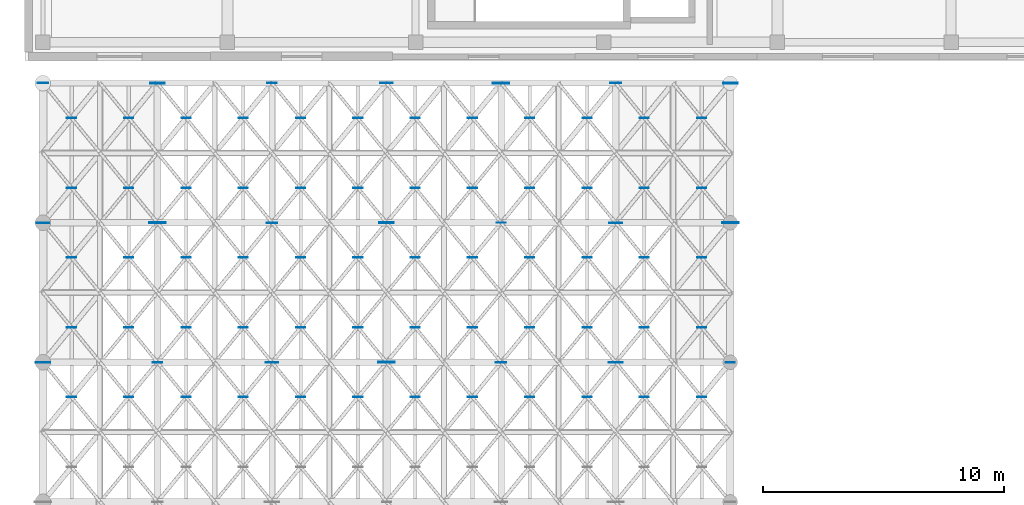
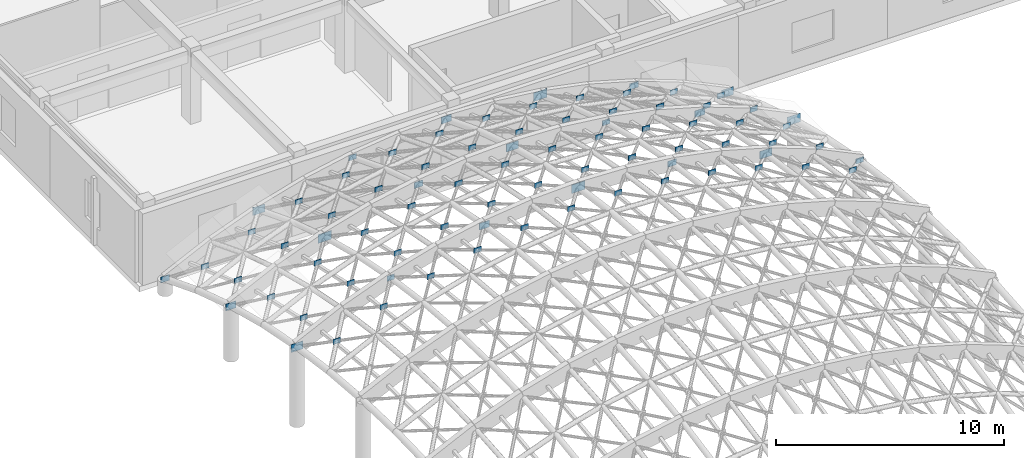
# One storey, part 126 of 146: 81 plates.
"""IFC4 building model written with IfcOpenShell, lengths in metres."""

from ifc_helpers import new_model, si_unit, direction, frame, origin, origin_2d, place, context, subcontext, project, spatial, rectangle, extrude, material, layer, layer_set, type_object, element, save


model = new_model("IFC4")

# Units and contexts
model_context = context("Model", 3, precision=1e-05, world=origin(), true_north=direction((0.0, 1.0)))
body_context = subcontext(model_context, "Body", "Model", "MODEL_VIEW")
ifc_project = project(units=[si_unit("LENGTHUNIT", "METRE"), si_unit("AREAUNIT", "SQUARE_METRE"), si_unit("VOLUMEUNIT", "CUBIC_METRE"), si_unit("PLANEANGLEUNIT", "RADIAN"), si_unit("MASSUNIT", "GRAM", prefix="KILO")], contexts=[model_context])

# Site, building, storey
site_placement = place(None, origin())
site = spatial("IfcSite", under=ifc_project, at=site_placement, CompositionType="ELEMENT")
building_placement = place(site_placement, origin())
building = spatial("IfcBuilding", under=site, at=building_placement, Name="Valcora Specialist Clinic", CompositionType="ELEMENT")
storey_placement = place(building_placement, frame((0.0, 0.0, 9.52001953125)))
storey = spatial("IfcBuildingStorey", under=building, at=storey_placement, Name="L02", CompositionType="ELEMENT", Elevation=9.52001953125)

# Plates
ifc_material = material(Name="Steel ASTM A572 Grade 50", Category="steel")
ifc_layer_1 = layer(ifc_material, 0.02587890625)
ifc_layer_set_1 = layer_set([ifc_layer_1], Name="Steel ASTM A572 Grade 50")
plate_type_1 = type_object("IfcPlateType", Name="TY-PL-GS1", PredefinedType="USERDEFINED", material=ifc_layer_set_1)
for number, where, z_axis, x_axis, name in (
    (1, (5.5, 73.464111328125, 4.591064453125), (0.0, 0.0, 1.0), (1.0, 0.0, 0.0), "Gridshell node gusset plate PL-GSN-015"),
    (2, (15.0, 67.678955078125, 7.440673828125), (0.0, 0.0, 1.0), (1.0, 0.0, 0.0), "Gridshell node gusset plate PL-GSN-030"),
    (3, (19.75, 79.25, 3.690673828125), (0.0, 0.0, 1.0), (1.0, 0.0, 0.0), "Gridshell node gusset plate PL-GSN-040"),
    (4, (29.25, 73.464111328125, 2.56005859375), (0.0, 0.0, 1.0), (1.0, 0.0, 0.0), "Gridshell node gusset plate PL-GSN-055"),
):
    element("IfcPlate", number, at=place(storey_placement, frame(where, z_axis=z_axis, x_axis=x_axis)), inside=storey, type_object=plate_type_1, Name=name, ObjectType="GUSSET_PLATE", PredefinedType="USERDEFINED", context=body_context, shape_type="SweptSolid", body=[
        extrude(rectangle(XDim=0.679931640625, YDim=0.02587890625, at=origin_2d()), origin(), (0.0, 0.0, 1.0), 0.4599609375),
    ])
ifc_layer_2 = layer(ifc_material, 0.02392578125)
ifc_layer_set_2 = layer_set([ifc_layer_2], Name="Steel ASTM A572 Grade 50")
plate_type_2 = type_object("IfcPlateType", Name="TY-PL-GS2", PredefinedType="USERDEFINED", material=ifc_layer_set_2)
for number, where, z_axis, x_axis, name in (
    (5, (0.75, 67.678955078125, 3.90283203125), (0.0, 0.0, 1.0), (1.0, 0.0, 0.0), "Gridshell node gusset plate PL-GSN-006"),
    (6, (5.5, 79.25, 2.55810546875), (0.0, 0.0, 1.0), (1.0, 0.0, 0.0), "Gridshell node gusset plate PL-GSN-016"),
    (7, (15.0, 73.464111328125, 6.137939453125), (0.0, 0.0, 1.0), (1.0, 0.0, 0.0), "Gridshell node gusset plate PL-GSN-031"),
    (8, (24.5, 67.678955078125, 5.933837890625), (0.0, 0.0, 1.0), (1.0, 0.0, 0.0), "Gridshell node gusset plate PL-GSN-046"),
    (9, (29.25, 79.25, 0.527099609375), (0.0, 0.0, 1.0), (1.0, 0.0, 0.0), "Gridshell node gusset plate PL-GSN-056"),
):
    element("IfcPlate", number, at=place(storey_placement, frame(where, z_axis=z_axis, x_axis=x_axis)), inside=storey, type_object=plate_type_2, Name=name, ObjectType="GUSSET_PLATE", PredefinedType="USERDEFINED", context=body_context, shape_type="SweptSolid", body=[
        extrude(rectangle(XDim=0.60009765625, YDim=0.02392578125, at=origin_2d()), origin(), (0.0, 0.0, 1.0), 0.419921875),
    ])
ifc_layer_3 = layer(ifc_material, 0.02197265625)
ifc_layer_set_3 = layer_set([ifc_layer_3], Name="Steel ASTM A572 Grade 50")
plate_type_3 = type_object("IfcPlateType", Name="TY-PL-GS3", PredefinedType="USERDEFINED", material=ifc_layer_set_3)
for number, where, z_axis, x_axis, name in (
    (10, (0.75, 73.464111328125, 2.60986328125), (0.0, 0.0, 1.0), (1.0, 0.0, 0.0), "Gridshell node gusset plate PL-GSN-007"),
    (11, (10.25, 67.678955078125, 7.1162109375), (0.0, 0.0, 1.0), (1.0, 0.0, 0.0), "Gridshell node gusset plate PL-GSN-022"),
    (12, (15.0, 79.25, 4.115234375), (0.0, 0.0, 1.0), (1.0, 0.0, 0.0), "Gridshell node gusset plate PL-GSN-032"),
    (13, (24.5, 73.464111328125, 4.64111328125), (0.0, 0.0, 1.0), (1.0, 0.0, 0.0), "Gridshell node gusset plate PL-GSN-047"),
):
    element("IfcPlate", number, at=place(storey_placement, frame(where, z_axis=z_axis, x_axis=x_axis)), inside=storey, type_object=plate_type_3, Name=name, ObjectType="GUSSET_PLATE", PredefinedType="USERDEFINED", context=body_context, shape_type="SweptSolid", body=[
        extrude(rectangle(XDim=0.52001953125, YDim=0.02197265625, at=origin_2d()), origin(), (0.0, 0.0, 1.0), 0.360107421875),
    ])
ifc_layer_4 = layer(ifc_material, 0.02001953125)
ifc_layer_set_4 = layer_set([ifc_layer_4], Name="Steel ASTM A572 Grade 50")
plate_type_4 = type_object("IfcPlateType", Name="TY-PL-GS4", PredefinedType="USERDEFINED", material=ifc_layer_set_4)
for number, where, z_axis, x_axis, name in (
    (14, (0.75, 79.25, 0.5771484375), (0.0, 0.0, 1.0), (1.0, 0.0, 0.0), "Gridshell node gusset plate PL-GSN-008"),
    (15, (10.25, 73.464111328125, 5.8134765625), (0.0, 0.0, 1.0), (1.0, 0.0, 0.0), "Gridshell node gusset plate PL-GSN-023"),
    (16, (19.75, 67.678955078125, 7.13623046875), (0.0, 0.0, 1.0), (1.0, 0.0, 0.0), "Gridshell node gusset plate PL-GSN-038"),
    (17, (24.5, 79.25, 2.60791015625), (0.0, 0.0, 1.0), (1.0, 0.0, 0.0), "Gridshell node gusset plate PL-GSN-048"),
):
    element("IfcPlate", number, at=place(storey_placement, frame(where, z_axis=z_axis, x_axis=x_axis)), inside=storey, type_object=plate_type_4, Name=name, ObjectType="GUSSET_PLATE", PredefinedType="USERDEFINED", context=body_context, shape_type="SweptSolid", body=[
        extrude(rectangle(XDim=0.43994140625, YDim=0.02001953125, at=origin_2d()), origin(), (0.0, 0.0, 1.0), 0.320068359375),
    ])
ifc_layer_5 = layer(ifc_material, 0.01806640625)
ifc_layer_set_5 = layer_set([ifc_layer_5], Name="Steel ASTM A572 Grade 50")
plate_type_5 = type_object("IfcPlateType", Name="TY-PL-GS5", PredefinedType="USERDEFINED", material=ifc_layer_set_5)
for number, where, z_axis, x_axis, name in (
    (18, (5.5, 67.678955078125, 6.00390625), (0.0, 0.0, 1.0), (1.0, 0.0, 0.0), "Gridshell node gusset plate PL-GSN-014"),
    (19, (10.25, 79.25, 3.78076171875), (0.0, 0.0, 1.0), (1.0, 0.0, 0.0), "Gridshell node gusset plate PL-GSN-024"),
    (20, (19.75, 73.464111328125, 5.83349609375), (0.0, 0.0, 1.0), (1.0, 0.0, 0.0), "Gridshell node gusset plate PL-GSN-039"),
    (21, (29.25, 67.678955078125, 3.97265625), (0.0, 0.0, 1.0), (1.0, 0.0, 0.0), "Gridshell node gusset plate PL-GSN-054"),
    (22, (1.9375, 66.232421875, 4.74365234375), (0.0, 0.0, 1.0), (1.0, 0.0, 0.0), "Gridshell X-brace crossing gusset 0-9"),
    (23, (1.9375, 69.125, 4.2529296875), (0.0, 0.0, 1.0), (1.0, 0.0, 0.0), "Gridshell X-brace crossing gusset 0-10"),
    (24, (1.9375, 72.017578125, 3.591796875), (0.0, 0.0, 1.0), (1.0, 0.0, 0.0), "Gridshell X-brace crossing gusset 0-11"),
    (25, (1.9375, 74.910400390625, 2.75244140625), (0.0, 0.0, 1.0), (1.0, 0.0, 0.0), "Gridshell X-brace crossing gusset 0-12"),
    (26, (1.9375, 77.803466796875, 1.72607421875), (0.0, 0.0, 1.0), (1.0, 0.0, 0.0), "Gridshell X-brace crossing gusset 0-13"),
    (27, (4.3125, 66.232421875, 5.75927734375), (0.0, 0.0, 1.0), (1.0, 0.0, 0.0), "Gridshell X-brace crossing gusset 1-9"),
    (28, (4.3125, 69.125, 5.2685546875), (0.0, 0.0, 1.0), (1.0, 0.0, 0.0), "Gridshell X-brace crossing gusset 1-10"),
    (29, (4.3125, 72.017578125, 4.607421875), (0.0, 0.0, 1.0), (1.0, 0.0, 0.0), "Gridshell X-brace crossing gusset 1-11"),
    (30, (4.3125, 74.910400390625, 3.76806640625), (0.0, 0.0, 1.0), (1.0, 0.0, 0.0), "Gridshell X-brace crossing gusset 1-12"),
    (31, (4.3125, 77.803466796875, 2.74169921875), (0.0, 0.0, 1.0), (1.0, 0.0, 0.0), "Gridshell X-brace crossing gusset 1-13"),
    (32, (6.6875, 66.232421875, 6.5458984375), (0.0, 0.0, 1.0), (1.0, 0.0, 0.0), "Gridshell X-brace crossing gusset 2-9"),
    (33, (6.6875, 69.125, 6.05517578125), (0.0, 0.0, 1.0), (1.0, 0.0, 0.0), "Gridshell X-brace crossing gusset 2-10"),
    (34, (6.6875, 72.017578125, 5.39404296875), (0.0, 0.0, 1.0), (1.0, 0.0, 0.0), "Gridshell X-brace crossing gusset 2-11"),
    (35, (6.6875, 74.910400390625, 4.5546875), (0.0, 0.0, 1.0), (1.0, 0.0, 0.0), "Gridshell X-brace crossing gusset 2-12"),
    (36, (6.6875, 77.803466796875, 3.5283203125), (0.0, 0.0, 1.0), (1.0, 0.0, 0.0), "Gridshell X-brace crossing gusset 2-13"),
    (37, (9.0625, 66.232421875, 7.1220703125), (0.0, 0.0, 1.0), (1.0, 0.0, 0.0), "Gridshell X-brace crossing gusset 3-9"),
    (38, (9.0625, 69.125, 6.63134765625), (0.0, 0.0, 1.0), (1.0, 0.0, 0.0), "Gridshell X-brace crossing gusset 3-10"),
    (39, (9.0625, 72.017578125, 5.97021484375), (0.0, 0.0, 1.0), (1.0, 0.0, 0.0), "Gridshell X-brace crossing gusset 3-11"),
    (40, (9.0625, 74.910400390625, 5.130859375), (0.0, 0.0, 1.0), (1.0, 0.0, 0.0), "Gridshell X-brace crossing gusset 3-12"),
    (41, (9.0625, 77.803466796875, 4.1044921875), (0.0, 0.0, 1.0), (1.0, 0.0, 0.0), "Gridshell X-brace crossing gusset 3-13"),
    (42, (11.4375, 66.232421875, 7.5), (0.0, 0.0, 1.0), (1.0, 0.0, 0.0), "Gridshell X-brace crossing gusset 4-9"),
    (43, (11.4375, 69.125, 7.009765625), (0.0, 0.0, 1.0), (1.0, 0.0, 0.0), "Gridshell X-brace crossing gusset 4-10"),
    (44, (11.4375, 72.017578125, 6.34814453125), (0.0, 0.0, 1.0), (1.0, 0.0, 0.0), "Gridshell X-brace crossing gusset 4-11"),
    (45, (11.4375, 74.910400390625, 5.5087890625), (0.0, 0.0, 1.0), (1.0, 0.0, 0.0), "Gridshell X-brace crossing gusset 4-12"),
    (46, (11.4375, 77.803466796875, 4.482421875), (0.0, 0.0, 1.0), (1.0, 0.0, 0.0), "Gridshell X-brace crossing gusset 4-13"),
    (47, (13.8125, 66.232421875, 7.6875), (0.0, 0.0, 1.0), (1.0, 0.0, 0.0), "Gridshell X-brace crossing gusset 5-9"),
    (48, (13.8125, 69.125, 7.19677734375), (0.0, 0.0, 1.0), (1.0, 0.0, 0.0), "Gridshell X-brace crossing gusset 5-10"),
    (49, (13.8125, 72.017578125, 6.53564453125), (0.0, 0.0, 1.0), (1.0, 0.0, 0.0), "Gridshell X-brace crossing gusset 5-11"),
    (50, (13.8125, 74.910400390625, 5.6962890625), (0.0, 0.0, 1.0), (1.0, 0.0, 0.0), "Gridshell X-brace crossing gusset 5-12"),
    (51, (13.8125, 77.803466796875, 4.669921875), (0.0, 0.0, 1.0), (1.0, 0.0, 0.0), "Gridshell X-brace crossing gusset 5-13"),
    (52, (16.1875, 66.232421875, 7.6875), (0.0, 0.0, 1.0), (1.0, 0.0, 0.0), "Gridshell X-brace crossing gusset 6-9"),
    (53, (16.1875, 69.125, 7.19677734375), (0.0, 0.0, 1.0), (1.0, 0.0, 0.0), "Gridshell X-brace crossing gusset 6-10"),
    (54, (16.1875, 72.017578125, 6.53564453125), (0.0, 0.0, 1.0), (1.0, 0.0, 0.0), "Gridshell X-brace crossing gusset 6-11"),
    (55, (16.1875, 74.910400390625, 5.6962890625), (0.0, 0.0, 1.0), (1.0, 0.0, 0.0), "Gridshell X-brace crossing gusset 6-12"),
    (56, (16.1875, 77.803466796875, 4.669921875), (0.0, 0.0, 1.0), (1.0, 0.0, 0.0), "Gridshell X-brace crossing gusset 6-13"),
    (57, (18.5625, 66.232421875, 7.5), (0.0, 0.0, 1.0), (1.0, 0.0, 0.0), "Gridshell X-brace crossing gusset 7-9"),
    (58, (18.5625, 69.125, 7.009765625), (0.0, 0.0, 1.0), (1.0, 0.0, 0.0), "Gridshell X-brace crossing gusset 7-10"),
    (59, (18.5625, 72.017578125, 6.34814453125), (0.0, 0.0, 1.0), (1.0, 0.0, 0.0), "Gridshell X-brace crossing gusset 7-11"),
    (60, (18.5625, 74.910400390625, 5.5087890625), (0.0, 0.0, 1.0), (1.0, 0.0, 0.0), "Gridshell X-brace crossing gusset 7-12"),
    (61, (18.5625, 77.803466796875, 4.482421875), (0.0, 0.0, 1.0), (1.0, 0.0, 0.0), "Gridshell X-brace crossing gusset 7-13"),
    (62, (20.9375, 66.232421875, 7.1220703125), (0.0, 0.0, 1.0), (1.0, 0.0, 0.0), "Gridshell X-brace crossing gusset 8-9"),
    (63, (20.9375, 69.125, 6.63134765625), (0.0, 0.0, 1.0), (1.0, 0.0, 0.0), "Gridshell X-brace crossing gusset 8-10"),
    (64, (20.9375, 72.017578125, 5.97021484375), (0.0, 0.0, 1.0), (1.0, 0.0, 0.0), "Gridshell X-brace crossing gusset 8-11"),
    (65, (20.9375, 74.910400390625, 5.130859375), (0.0, 0.0, 1.0), (1.0, 0.0, 0.0), "Gridshell X-brace crossing gusset 8-12"),
    (66, (20.9375, 77.803466796875, 4.1044921875), (0.0, 0.0, 1.0), (1.0, 0.0, 0.0), "Gridshell X-brace crossing gusset 8-13"),
    (67, (23.3125, 66.232421875, 6.5458984375), (0.0, 0.0, 1.0), (1.0, 0.0, 0.0), "Gridshell X-brace crossing gusset 9-9"),
    (68, (23.3125, 69.125, 6.05517578125), (0.0, 0.0, 1.0), (1.0, 0.0, 0.0), "Gridshell X-brace crossing gusset 9-10"),
    (69, (23.3125, 72.017578125, 5.39404296875), (0.0, 0.0, 1.0), (1.0, 0.0, 0.0), "Gridshell X-brace crossing gusset 9-11"),
    (70, (23.3125, 74.910400390625, 4.5546875), (0.0, 0.0, 1.0), (1.0, 0.0, 0.0), "Gridshell X-brace crossing gusset 9-12"),
    (71, (23.3125, 77.803466796875, 3.5283203125), (0.0, 0.0, 1.0), (1.0, 0.0, 0.0), "Gridshell X-brace crossing gusset 9-13"),
    (72, (25.6875, 66.232421875, 5.75927734375), (0.0, 0.0, 1.0), (1.0, 0.0, 0.0), "Gridshell X-brace crossing gusset 10-9"),
    (73, (25.6875, 69.125, 5.2685546875), (0.0, 0.0, 1.0), (1.0, 0.0, 0.0), "Gridshell X-brace crossing gusset 10-10"),
    (74, (25.6875, 72.017578125, 4.607421875), (0.0, 0.0, 1.0), (1.0, 0.0, 0.0), "Gridshell X-brace crossing gusset 10-11"),
    (75, (25.6875, 74.910400390625, 3.76806640625), (0.0, 0.0, 1.0), (1.0, 0.0, 0.0), "Gridshell X-brace crossing gusset 10-12"),
    (76, (25.6875, 77.803466796875, 2.74169921875), (0.0, 0.0, 1.0), (1.0, 0.0, 0.0), "Gridshell X-brace crossing gusset 10-13"),
    (77, (28.0625, 66.232421875, 4.74365234375), (0.0, 0.0, 1.0), (1.0, 0.0, 0.0), "Gridshell X-brace crossing gusset 11-9"),
    (78, (28.0625, 69.125, 4.2529296875), (0.0, 0.0, 1.0), (1.0, 0.0, 0.0), "Gridshell X-brace crossing gusset 11-10"),
    (79, (28.0625, 72.017578125, 3.591796875), (0.0, 0.0, 1.0), (1.0, 0.0, 0.0), "Gridshell X-brace crossing gusset 11-11"),
    (80, (28.0625, 74.910400390625, 2.75244140625), (0.0, 0.0, 1.0), (1.0, 0.0, 0.0), "Gridshell X-brace crossing gusset 11-12"),
    (81, (28.0625, 77.803466796875, 1.72607421875), (0.0, 0.0, 1.0), (1.0, 0.0, 0.0), "Gridshell X-brace crossing gusset 11-13"),
):
    element("IfcPlate", number, at=place(storey_placement, frame(where, z_axis=z_axis, x_axis=x_axis)), inside=storey, type_object=plate_type_5, Name=name, ObjectType="GUSSET_PLATE", PredefinedType="USERDEFINED", context=body_context, shape_type="SweptSolid", body=[
        extrude(rectangle(XDim=0.3798828125, YDim=0.01806640625, at=origin_2d()), origin(), (0.0, 0.0, 1.0), 0.280029296875),
    ])

save(model, "model.ifc")
